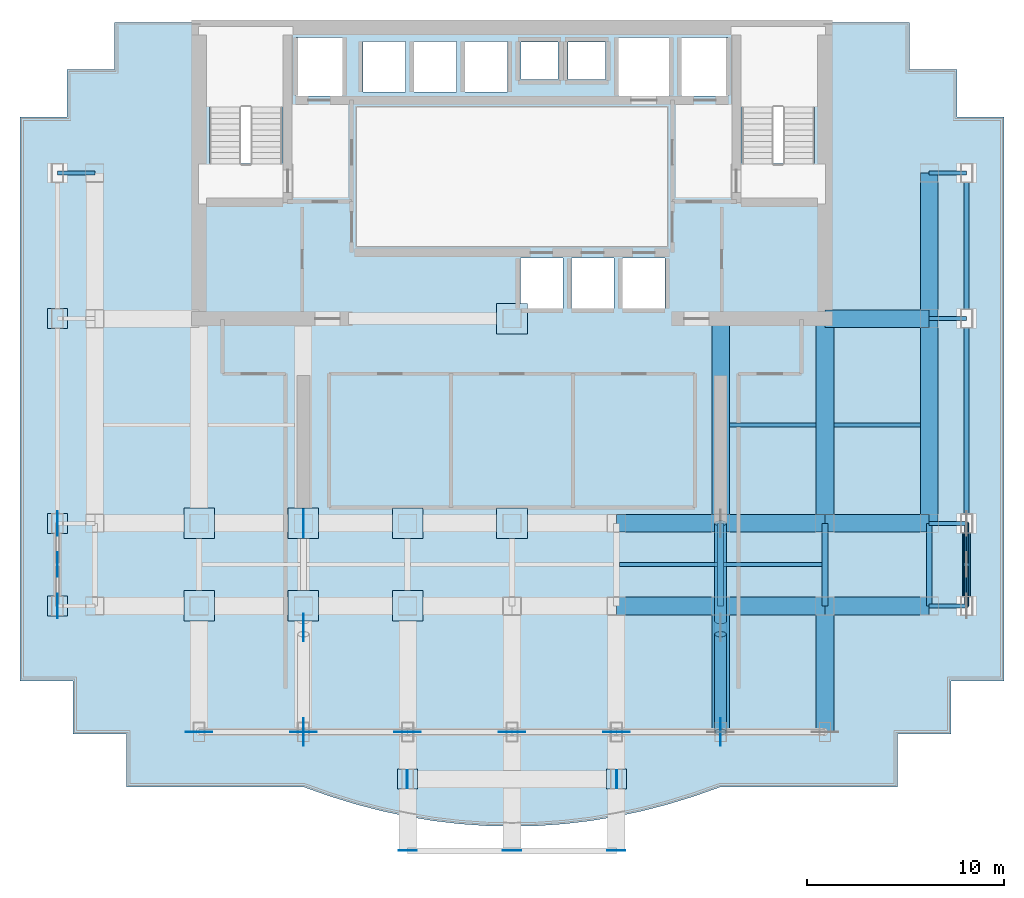
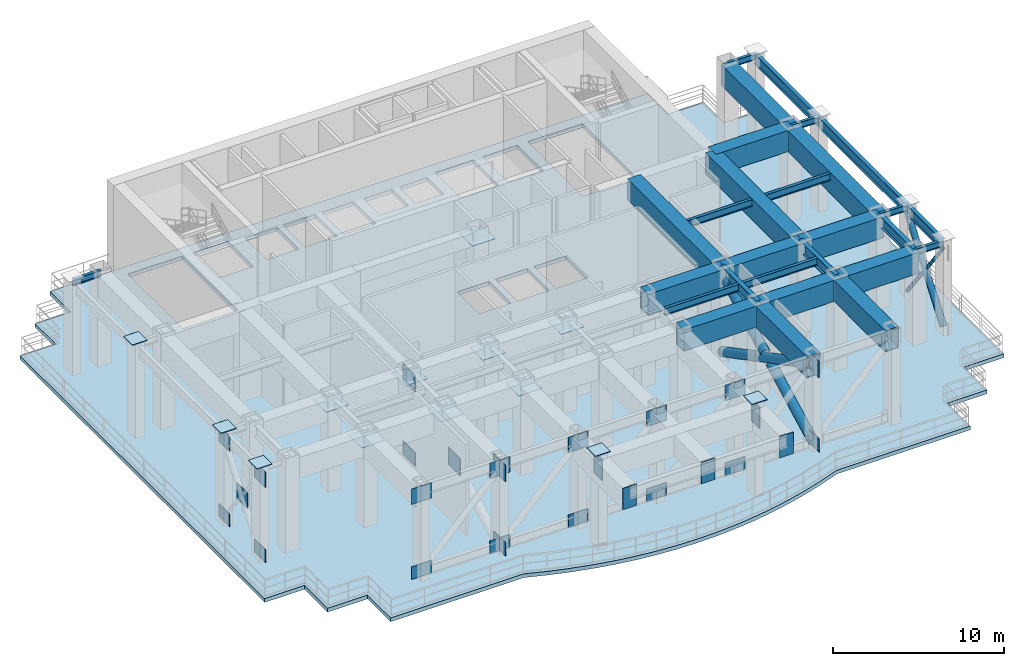
# One storey, part 2 of 8: 40 plates, 28 beams, 6 members, 1 slab.
"""IFC4 building model written with IfcOpenShell, lengths in metres."""

from ifc_helpers import new_model, si_unit, direction, frame, origin, origin_2d, place, context, subcontext, project, spatial, polyline, rectangle, hollow_rectangle, hollow_circle, i_section, outline, extrude, source, transform, mapped, material, layer, layer_set, material_profile, profile_set, type_object, element, save


model = new_model("IFC4")

# Units and contexts
model_context = context("Model", 3, precision=1e-05, world=origin(), true_north=direction((0.0, 1.0)))
body_context = subcontext(model_context, "Body", "Model", "MODEL_VIEW")
ifc_project = project(units=[si_unit("LENGTHUNIT", "METRE"), si_unit("AREAUNIT", "SQUARE_METRE"), si_unit("VOLUMEUNIT", "CUBIC_METRE"), si_unit("PLANEANGLEUNIT", "RADIAN"), si_unit("MASSUNIT", "GRAM", prefix="KILO")], contexts=[model_context])

# Site, building, storey
site_placement = place(None, origin())
site = spatial("IfcSite", under=ifc_project, at=site_placement, CompositionType="ELEMENT")
building_placement = place(site_placement, origin())
building = spatial("IfcBuilding", under=site, at=building_placement, Name="Qianlan Lanfeng Residences", CompositionType="ELEMENT")
storey_placement = place(building_placement, frame((0.0, 0.0, 127.89990234375)))
storey = spatial("IfcBuildingStorey", under=building, at=storey_placement, Name="L35", CompositionType="ELEMENT", Elevation=127.89990234375)

# Member
ifc_material_1 = material(Name="Steel SN490B", Category="steel")
ifc_material_profile_1 = material_profile(ifc_material_1, hollow_circle(Radius=0.203125, WallThickness=0.01611328125, at=origin_2d()), Name="CHS 406.4x16")
ifc_profile_set_1 = profile_set([ifc_material_profile_1], Name="Steel SN490B")
member_type_1 = type_object("IfcMemberType", Name="BB-457", PredefinedType="BRACE", material=ifc_profile_set_1)
member_1_placement = place(storey_placement, frame((49.60009765625, 10.60009765625, 0.35009765625), z_axis=(0.0, 0.602743372314, 0.79793510208), x_axis=(-1.0, 0.0, 0.0)))
element("IfcMember", 1, at=member_1_placement, inside=storey, type_object=member_type_1, Name="L35 E End Portal Continuous Diagonal", PredefinedType="BRACE", context=body_context, shape_type="SweptSolid", body=[
    extrude(hollow_circle(Radius=0.203125, WallThickness=0.01611328125, at=origin_2d()), origin(), (0.0, 0.0, 1.0), 6.968017578125),
])

# Beams
ifc_material_profile_2 = material_profile(ifc_material_1, i_section(OverallWidth=0.300048828125, OverallDepth=0.800048828125, WebThickness=0.01611328125, FlangeThickness=0.028076171875, at=origin_2d()), Name="H 800x300x16x28")
ifc_profile_set_2 = profile_set([ifc_material_profile_2], Name="Steel SN490B")
beam_type_1 = type_object("IfcBeamType", Name="G-950", PredefinedType="BEAM", material=ifc_profile_set_2)
for number, where, z_axis, x_axis, name in (
    (2, (37.10009765625, 10.60009765625, 6.16015625), (0.0, 1.0, 0.0), (-1.0, 0.0, 0.0), "Structural beam G-950"),
    (3, (42.39990234375, 10.60009765625, 6.16015625), (0.0, 1.0, 0.0), (-1.0, 0.0, 0.0), "Structural beam G-950"),
    (4, (47.699951171875, 10.60009765625, 6.16015625), (0.0, 1.0, 0.0), (-1.0, 0.0, 0.0), "Structural beam G-950"),
):
    element("IfcBeam", number, at=place(storey_placement, frame(where, z_axis=z_axis, x_axis=x_axis)), inside=storey, type_object=beam_type_1, Name=name, PredefinedType="BEAM", context=body_context, shape_type="SweptSolid", body=[
        extrude(i_section(OverallWidth=0.300048828125, OverallDepth=0.800048828125, WebThickness=0.01611328125, FlangeThickness=0.028076171875, at=origin_2d()), origin(), (0.0, 0.0, 1.0), 4.199951171875),
    ])
ifc_material_profile_3 = material_profile(ifc_material_1, i_section(OverallWidth=0.199951171875, OverallDepth=0.449951171875, WebThickness=0.009033203125, FlangeThickness=0.013916015625, at=origin_2d()), Name="H 450x200x9x14")
ifc_profile_set_3 = profile_set([ifc_material_profile_3], Name="Steel SN490B")
beam_type_2 = type_object("IfcBeamType", Name="J-450", PredefinedType="JOIST", material=ifc_profile_set_3)
for number, where, z_axis, x_axis, name in (
    (5, (47.699951171875, 10.60009765625, 6.335205078125), (1.0, 0.0, 0.0), (0.0, 1.0, 0.0), "Structural beam J-450"),
    (6, (47.699951171875, 14.800048828125, 6.335205078125), (1.0, 0.0, 0.0), (0.0, 1.0, 0.0), "Structural beam J-450"),
    (7, (47.699951171875, 25.199951171875, 6.335205078125), (1.0, 0.0, 0.0), (0.0, 1.0, 0.0), "Structural beam J-450"),
    (8, (3.39990234375, 32.60009765625, 6.335205078125), (1.0, 0.0, 0.0), (0.0, 1.0, 0.0), "Structural beam J-450"),
    (9, (47.699951171875, 32.60009765625, 6.335205078125), (1.0, 0.0, 0.0), (0.0, 1.0, 0.0), "Structural beam J-450"),
):
    element("IfcBeam", number, at=place(storey_placement, frame(where, z_axis=z_axis, x_axis=x_axis)), inside=storey, type_object=beam_type_2, Name=name, PredefinedType="JOIST", context=body_context, shape_type="SweptSolid", body=[
        extrude(i_section(OverallWidth=0.199951171875, OverallDepth=0.449951171875, WebThickness=0.009033203125, FlangeThickness=0.013916015625, at=origin_2d()), origin(), (0.0, 0.0, 1.0), 1.900146484375),
    ])
ifc_material_profile_4 = material_profile(ifc_material_1, i_section(OverallWidth=0.199951171875, OverallDepth=0.5, WebThickness=0.010009765625, FlangeThickness=0.01611328125, at=origin_2d()), Name="H 500x200x10x16")
ifc_profile_set_4 = profile_set([ifc_material_profile_4], Name="Steel SN490B")
beam_type_3 = type_object("IfcBeamType", Name="J-500", PredefinedType="JOIST", material=ifc_profile_set_4)
for number, where, z_axis, x_axis, name in (
    (10, (31.949951171875, 12.699951171875, 6.31005859375), (1.0, 0.0, 0.0), (0.0, 1.0, 0.0), "Structural beam J-500"),
    (11, (37.25, 12.699951171875, 6.31005859375), (1.0, 0.0, 0.0), (0.0, 1.0, 0.0), "Structural beam J-500"),
):
    element("IfcBeam", number, at=place(storey_placement, frame(where, z_axis=z_axis, x_axis=x_axis)), inside=storey, type_object=beam_type_3, Name=name, PredefinedType="JOIST", context=body_context, shape_type="SweptSolid", body=[
        extrude(i_section(OverallWidth=0.199951171875, OverallDepth=0.5, WebThickness=0.010009765625, FlangeThickness=0.01611328125, at=origin_2d()), origin(), (0.0, 0.0, 1.0), 5.0),
    ])
for number, where, z_axis, x_axis, name in (
    (12, (37.550048828125, 19.800048828125, 6.31005859375), (1.0, 0.0, 0.0), (0.0, 1.0, 0.0), "Structural beam J-500"),
    (13, (42.85009765625, 19.800048828125, 6.31005859375), (1.0, 0.0, 0.0), (0.0, 1.0, 0.0), "Structural beam J-500"),
):
    element("IfcBeam", number, at=place(storey_placement, frame(where, z_axis=z_axis, x_axis=x_axis)), inside=storey, type_object=beam_type_3, Name=name, PredefinedType="JOIST", context=body_context, shape_type="SweptSolid", body=[
        extrude(i_section(OverallWidth=0.199951171875, OverallDepth=0.5, WebThickness=0.010009765625, FlangeThickness=0.01611328125, at=origin_2d()), origin(), (0.0, 0.0, 1.0), 4.39990234375),
    ])

# Members
ifc_material_profile_5 = material_profile(ifc_material_1, hollow_circle(Radius=0.3046875, WallThickness=0.02490234375, at=origin_2d()), Name="CHS 609.6x25")
ifc_profile_set_5 = profile_set([ifc_material_profile_5], Name="Steel SN490B")
member_type_2 = type_object("IfcMemberType", Name="OB-610", PredefinedType="BRACE", material=ifc_profile_set_5)
member_2_placement = place(storey_placement, frame((37.10009765625, 14.800048828125, 0.35009765625), z_axis=(0.0, -0.885569507727, 0.46450688583), x_axis=(1.0, 0.0, 0.0)))
element("IfcMember", 14, at=member_2_placement, inside=storey, type_object=member_type_2, Name="L35 Outrigger Continuous Diagonal G8-D1", PredefinedType="BRACE", context=body_context, shape_type="SweptSolid", body=[
    extrude(hollow_circle(Radius=0.3046875, WallThickness=0.02490234375, at=origin_2d()), origin(), (0.0, 0.0, 1.0), 11.9697265625),
])
for number, where, z_axis, x_axis, name in (
    (15, (37.10009765625, 14.800048828125, 5.91015625), (0.0, -0.885573074059, -0.464500086654), (1.0, 0.0, 0.0), "L35 Outrigger Split Upper Half-Diagonal G8-D2A"),
    (16, (37.10009765625, 9.16357421875, 2.95361328125), (0.0, -0.885573074059, -0.464500086654), (1.0, 0.0, 0.0), "L35 Outrigger Split Lower Half-Diagonal G8-D2B"),
):
    element("IfcMember", number, at=place(storey_placement, frame(where, z_axis=z_axis, x_axis=x_axis)), inside=storey, type_object=member_type_2, Name=name, PredefinedType="BRACE", context=body_context, shape_type="SweptSolid", body=[
        extrude(hollow_circle(Radius=0.3046875, WallThickness=0.02490234375, at=origin_2d()), origin(), (0.0, 0.0, 1.0), 5.60498046875),
    ])
ifc_material_profile_6 = material_profile(ifc_material_1, hollow_circle(Radius=0.109619140625, WallThickness=0.010009765625, at=origin_2d()), Name="CHS 219.1x10")
ifc_profile_set_6 = profile_set([ifc_material_profile_6], Name="Steel SN490B")
member_type_3 = type_object("IfcMemberType", Name="PB-273", PredefinedType="STRUT", material=ifc_profile_set_6)
member_3_placement = place(storey_placement, frame((49.60009765625, 14.800048828125, 0.35009765625), z_axis=(0.0, -0.602766012183, 0.797917999895), x_axis=(1.0, 0.0, 0.0)))
element("IfcMember", 17, at=member_3_placement, inside=storey, type_object=member_type_3, Name="L35 E Portal Split Counter-Brace Lower Half", PredefinedType="STRUT", context=body_context, shape_type="SweptSolid", body=[
    extrude(hollow_circle(Radius=0.109619140625, WallThickness=0.010009765625, at=origin_2d()), origin(), (0.0, 0.0, 1.0), 3.243896484375),
])
member_4_placement = place(storey_placement, frame((49.60009765625, 12.555419921875, 3.321533203125), z_axis=(0.0, -0.602729816328, 0.797945341806), x_axis=(1.0, 0.0, 0.0)))
element("IfcMember", 18, at=member_4_placement, inside=storey, type_object=member_type_3, Name="L35 E Portal Split Counter-Brace Upper Half", PredefinedType="STRUT", context=body_context, shape_type="SweptSolid", body=[
    extrude(hollow_circle(Radius=0.109619140625, WallThickness=0.010009765625, at=origin_2d()), origin(), (0.0, 0.0, 1.0), 3.244140625),
])

# Beams
ifc_material_profile_7 = material_profile(ifc_material_1, i_section(OverallWidth=0.25, OverallDepth=0.75, WebThickness=0.013916015625, FlangeThickness=0.02490234375, at=origin_2d()), Name="H 750x250x14x25")
ifc_profile_set_7 = profile_set([ifc_material_profile_7], Name="Steel SN490B")
beam_type_4 = type_object("IfcBeamType", Name="SG-850", PredefinedType="SPANDREL", material=ifc_profile_set_7)
beam_1_placement = place(storey_placement, frame((49.60009765625, 10.60009765625, 6.18505859375), z_axis=(0.0, 1.0, 0.0), x_axis=(-1.0, 0.0, 0.0)))
element("IfcBeam", 19, at=beam_1_placement, inside=storey, type_object=beam_type_4, Name="Structural beam SG-850", PredefinedType="SPANDREL", context=body_context, shape_type="SweptSolid", body=[
    extrude(i_section(OverallWidth=0.25, OverallDepth=0.75, WebThickness=0.013916015625, FlangeThickness=0.02490234375, at=origin_2d()), origin(), (0.0, 0.0, 1.0), 4.199951171875),
])
beam_2_placement = place(storey_placement, frame((49.60009765625, 14.800048828125, 6.18505859375), z_axis=(0.0, 1.0, 0.0), x_axis=(-1.0, 0.0, 0.0)))
element("IfcBeam", 20, at=beam_2_placement, inside=storey, type_object=beam_type_4, Name="Structural beam SG-850", PredefinedType="SPANDREL", context=body_context, shape_type="SweptSolid", body=[
    extrude(i_section(OverallWidth=0.25, OverallDepth=0.75, WebThickness=0.013916015625, FlangeThickness=0.02490234375, at=origin_2d()), origin(), (0.0, 0.0, 1.0), 10.39990234375),
])
beam_3_placement = place(storey_placement, frame((49.60009765625, 25.199951171875, 6.18505859375), z_axis=(0.0, 1.0, 0.0), x_axis=(-1.0, 0.0, 0.0)))
element("IfcBeam", 21, at=beam_3_placement, inside=storey, type_object=beam_type_4, Name="Structural beam SG-850", PredefinedType="SPANDREL", context=body_context, shape_type="SweptSolid", body=[
    extrude(i_section(OverallWidth=0.25, OverallDepth=0.75, WebThickness=0.013916015625, FlangeThickness=0.02490234375, at=origin_2d()), origin(), (0.0, 0.0, 1.0), 7.400146484375),
])
ifc_material_2 = material(Name="Steel SM570 (420 MPa)", Category="steel")
ifc_material_profile_8 = material_profile(ifc_material_2, hollow_rectangle(XDim=0.89990234375, YDim=1.5, WallThickness=0.035888671875, at=origin_2d()), Name="BOX 1500x900x36")
ifc_profile_set_8 = profile_set([ifc_material_profile_8], Name="Steel SM570 (420 MPa)")
beam_type_5 = type_object("IfcBeamType", Name="TG-1800", PredefinedType="BEAM", material=ifc_profile_set_8)
beam_4_placement = place(storey_placement, frame((31.800048828125, 10.60009765625, 5.81005859375), z_axis=(1.0, 0.0, 0.0), x_axis=(0.0, 1.0, 0.0)))
element("IfcBeam", 22, at=beam_4_placement, inside=storey, type_object=beam_type_5, Name="Structural beam TG-1800", PredefinedType="BEAM", context=body_context, shape_type="SweptSolid", body=[
    extrude(hollow_rectangle(XDim=0.89990234375, YDim=1.5, WallThickness=0.035888671875, at=origin_2d()), origin(), (0.0, 0.0, 1.0), 5.300048828125),
])
beam_5_placement = place(storey_placement, frame((37.10009765625, 10.60009765625, 5.81005859375), z_axis=(1.0, 0.0, 0.0), x_axis=(0.0, 1.0, 0.0)))
element("IfcBeam", 23, at=beam_5_placement, inside=storey, type_object=beam_type_5, Name="Structural beam TG-1800", PredefinedType="BEAM", context=body_context, shape_type="SweptSolid", body=[
    extrude(hollow_rectangle(XDim=0.89990234375, YDim=1.5, WallThickness=0.035888671875, at=origin_2d()), origin(), (0.0, 0.0, 1.0), 5.2998046875),
])
for number, where, z_axis, x_axis, name in (
    (24, (42.39990234375, 10.60009765625, 5.81005859375), (1.0, 0.0, 0.0), (0.0, 1.0, 0.0), "Structural beam TG-1800"),
    (25, (31.800048828125, 14.800048828125, 5.81005859375), (1.0, 0.0, 0.0), (0.0, 1.0, 0.0), "Structural beam TG-1800"),
):
    element("IfcBeam", number, at=place(storey_placement, frame(where, z_axis=z_axis, x_axis=x_axis)), inside=storey, type_object=beam_type_5, Name=name, PredefinedType="BEAM", context=body_context, shape_type="SweptSolid", body=[
        extrude(hollow_rectangle(XDim=0.89990234375, YDim=1.5, WallThickness=0.035888671875, at=origin_2d()), origin(), (0.0, 0.0, 1.0), 5.300048828125),
    ])
beam_6_placement = place(storey_placement, frame((37.10009765625, 14.800048828125, 5.81005859375), z_axis=(1.0, 0.0, 0.0), x_axis=(0.0, 1.0, 0.0)))
element("IfcBeam", 26, at=beam_6_placement, inside=storey, type_object=beam_type_5, Name="Structural beam TG-1800", PredefinedType="BEAM", context=body_context, shape_type="SweptSolid", body=[
    extrude(hollow_rectangle(XDim=0.89990234375, YDim=1.5, WallThickness=0.035888671875, at=origin_2d()), origin(), (0.0, 0.0, 1.0), 5.2998046875),
])
for number, where, z_axis, x_axis, name in (
    (27, (42.39990234375, 14.800048828125, 5.81005859375), (1.0, 0.0, 0.0), (0.0, 1.0, 0.0), "Structural beam TG-1800"),
    (28, (42.39990234375, 25.199951171875, 5.81005859375), (1.0, 0.0, 0.0), (0.0, 1.0, 0.0), "Structural beam TG-1800"),
):
    element("IfcBeam", number, at=place(storey_placement, frame(where, z_axis=z_axis, x_axis=x_axis)), inside=storey, type_object=beam_type_5, Name=name, PredefinedType="BEAM", context=body_context, shape_type="SweptSolid", body=[
        extrude(hollow_rectangle(XDim=0.89990234375, YDim=1.5, WallThickness=0.035888671875, at=origin_2d()), origin(), (0.0, 0.0, 1.0), 5.300048828125),
    ])
beam_7_placement = place(storey_placement, frame((37.10009765625, 4.199951171875, 5.81005859375), z_axis=(0.0, 1.0, 0.0), x_axis=(-1.0, 0.0, 0.0)))
element("IfcBeam", 29, at=beam_7_placement, inside=storey, type_object=beam_type_5, Name="Structural beam TG-1800", PredefinedType="BEAM", context=body_context, shape_type="SweptSolid", body=[
    extrude(hollow_rectangle(XDim=0.89990234375, YDim=1.5, WallThickness=0.035888671875, at=origin_2d()), origin(), (0.0, 0.0, 1.0), 6.400146484375),
])
beam_8_placement = place(storey_placement, frame((37.10009765625, 14.800048828125, 5.81005859375), z_axis=(0.0, 1.0, 0.0), x_axis=(-1.0, 0.0, 0.0)))
element("IfcBeam", 30, at=beam_8_placement, inside=storey, type_object=beam_type_5, Name="Structural beam TG-1800", PredefinedType="BEAM", context=body_context, shape_type="SweptSolid", body=[
    extrude(hollow_rectangle(XDim=0.89990234375, YDim=1.5, WallThickness=0.035888671875, at=origin_2d()), origin(), (0.0, 0.0, 1.0), 10.39990234375),
])
beam_9_placement = place(storey_placement, frame((42.39990234375, 4.199951171875, 5.81005859375), z_axis=(0.0, 1.0, 0.0), x_axis=(-1.0, 0.0, 0.0)))
element("IfcBeam", 31, at=beam_9_placement, inside=storey, type_object=beam_type_5, Name="Structural beam TG-1800", PredefinedType="BEAM", context=body_context, shape_type="SweptSolid", body=[
    extrude(hollow_rectangle(XDim=0.89990234375, YDim=1.5, WallThickness=0.035888671875, at=origin_2d()), origin(), (0.0, 0.0, 1.0), 6.400146484375),
])
for number, where, z_axis, x_axis, name in (
    (32, (42.39990234375, 14.800048828125, 5.81005859375), (0.0, 1.0, 0.0), (-1.0, 0.0, 0.0), "Structural beam TG-1800"),
    (33, (47.699951171875, 14.800048828125, 5.81005859375), (0.0, 1.0, 0.0), (-1.0, 0.0, 0.0), "Structural beam TG-1800"),
):
    element("IfcBeam", number, at=place(storey_placement, frame(where, z_axis=z_axis, x_axis=x_axis)), inside=storey, type_object=beam_type_5, Name=name, PredefinedType="BEAM", context=body_context, shape_type="SweptSolid", body=[
        extrude(hollow_rectangle(XDim=0.89990234375, YDim=1.5, WallThickness=0.035888671875, at=origin_2d()), origin(), (0.0, 0.0, 1.0), 10.39990234375),
    ])
beam_10_placement = place(storey_placement, frame((47.699951171875, 25.199951171875, 5.81005859375), z_axis=(0.0, 1.0, 0.0), x_axis=(-1.0, 0.0, 0.0)))
element("IfcBeam", 34, at=beam_10_placement, inside=storey, type_object=beam_type_5, Name="Structural beam TG-1800", PredefinedType="BEAM", context=body_context, shape_type="SweptSolid", body=[
    extrude(hollow_rectangle(XDim=0.89990234375, YDim=1.5, WallThickness=0.035888671875, at=origin_2d()), origin(), (0.0, 0.0, 1.0), 7.400146484375),
])

# Slab
ifc_material_3 = material(Name="Concrete C56", Category="concrete")
ifc_layer_1 = layer(ifc_material_3, 0.27001953125)
ifc_layer_set_1 = layer_set([ifc_layer_1], Name="Concrete C56")
slab_type = type_object("IfcSlabType", Name="S-PRT-270", PredefinedType="FLOOR", material=ifc_layer_set_1)
slab_placement = place(storey_placement, frame((0.0, 0.0, -0.27001953125)))
element("IfcSlab", 35, at=slab_placement, inside=storey, type_object=slab_type, Name="L35 Structural Floor Slab", PredefinedType="FLOOR", context=body_context, shape_type="SweptSolid", body=[
    extrude(outline(polyline([(1.5, 6.800048828125), (4.199951171875, 6.800048828125), (4.199951171875, 4.10009765625), (6.89990234375, 4.10009765625), (6.89990234375, 1.39990234375), (15.919921875, 1.39990234375), (17.241943359375, 0.930908203125), (18.56494140625, 0.52490234375), (19.886962890625, 0.180908203125), (21.2099609375, -0.10009765625), (22.531982421875, -0.319091796875), (23.85498046875, -0.47509765625), (25.177001953125, -0.569091796875), (26.5, -0.60009765625), (27.822021484375, -0.569091796875), (29.14501953125, -0.47509765625), (30.467041015625, -0.319091796875), (31.7900390625, -0.10009765625), (33.112060546875, 0.180908203125), (34.43505859375, 0.52490234375), (35.758056640625, 0.930908203125), (37.080078125, 1.39990234375), (46.10009765625, 1.39990234375), (46.10009765625, 4.10009765625), (48.800048828125, 4.10009765625), (48.800048828125, 6.800048828125), (51.5, 6.800048828125), (51.5, 35.449951171875), (49.10009765625, 35.449951171875), (49.10009765625, 37.85009765625), (46.699951171875, 37.85009765625), (46.699951171875, 40.25), (6.300048828125, 40.25), (6.300048828125, 37.85009765625), (3.89990234375, 37.85009765625), (3.89990234375, 35.449951171875), (1.5, 35.449951171875), (1.5, 6.800048828125)]), holes=[polyline([(11.139892578125, 33.080078125), (11.139892578125, 39.5), (14.820068359375, 39.5), (14.820068359375, 33.080078125), (11.139892578125, 33.080078125)]), polyline([(38.179931640625, 33.080078125), (38.179931640625, 39.5), (41.860107421875, 39.5), (41.860107421875, 33.080078125), (38.179931640625, 33.080078125)]), polyline([(15.52001953125, 36.52001953125), (15.52001953125, 39.47998046875), (17.8798828125, 39.47998046875), (17.8798828125, 36.52001953125), (15.52001953125, 36.52001953125)]), polyline([(35.1201171875, 36.52001953125), (35.1201171875, 39.47998046875), (37.47998046875, 39.47998046875), (37.47998046875, 36.52001953125), (35.1201171875, 36.52001953125)]), polyline([(31.919921875, 36.52001953125), (31.919921875, 39.47998046875), (34.47998046875, 39.47998046875), (34.47998046875, 36.52001953125), (31.919921875, 36.52001953125)]), polyline([(26.919921875, 25.719970703125), (26.919921875, 28.280029296875), (29.080078125, 28.280029296875), (29.080078125, 25.719970703125), (26.919921875, 25.719970703125)]), polyline([(29.52001953125, 25.719970703125), (29.52001953125, 28.280029296875), (31.679931640625, 28.280029296875), (31.679931640625, 25.719970703125), (29.52001953125, 25.719970703125)]), polyline([(32.1201171875, 25.719970703125), (32.1201171875, 28.280029296875), (34.280029296875, 28.280029296875), (34.280029296875, 25.719970703125), (32.1201171875, 25.719970703125)]), polyline([(18.919921875, 36.719970703125), (18.919921875, 39.280029296875), (21.080078125, 39.280029296875), (21.080078125, 36.719970703125), (18.919921875, 36.719970703125)]), polyline([(21.52001953125, 36.719970703125), (21.52001953125, 39.280029296875), (23.679931640625, 39.280029296875), (23.679931640625, 36.719970703125), (21.52001953125, 36.719970703125)]), polyline([(24.1201171875, 36.719970703125), (24.1201171875, 39.280029296875), (26.280029296875, 39.280029296875), (26.280029296875, 36.719970703125), (24.1201171875, 36.719970703125)]), polyline([(26.949951171875, 37.35009765625), (26.949951171875, 39.25), (28.85009765625, 39.25), (28.85009765625, 37.35009765625), (26.949951171875, 37.35009765625)]), polyline([(29.35009765625, 37.35009765625), (29.35009765625, 39.25), (31.25, 39.25), (31.25, 37.35009765625), (29.35009765625, 37.35009765625)])]), origin(), (0.0, 0.0, 1.0), 0.27001953125),
])

# Plates
ifc_layer_2 = layer(ifc_material_2, 0.0400390625)
ifc_layer_set_2 = layer_set([ifc_layer_2], Name="Steel SM570 (420 MPa)")
plate_type_1 = type_object("IfcPlateType", Name="PL-CAP-40", PredefinedType="USERDEFINED", material=ifc_layer_set_2)
shared_shape_1 = source(origin(), body_context, "Body", "SweptSolid", [
    extrude(rectangle(XDim=1.02001953125, YDim=1.02001953125, at=origin_2d()), origin(), (0.0, 0.0, 1.0), 0.0400390625),
])
for number, where, z_axis, x_axis, name in (
    (36, (21.199951171875, 1.800048828125, 6.760009765625), (0.0, 0.0, 1.0), (1.0, 0.0, 0.0), "L35 Box Column Top Closure Cap Plate P_21.20_1.80"),
    (37, (31.800048828125, 1.800048828125, 6.760009765625), (0.0, 0.0, 1.0), (1.0, 0.0, 0.0), "L35 Box Column Top Closure Cap Plate P_31.80_1.80"),
    (38, (3.39990234375, 10.60009765625, 6.760009765625), (0.0, 0.0, 1.0), (1.0, 0.0, 0.0), "L35 Box Column Top Closure Cap Plate W_3.40_10.60"),
    (39, (3.39990234375, 14.800048828125, 6.760009765625), (0.0, 0.0, 1.0), (1.0, 0.0, 0.0), "L35 Box Column Top Closure Cap Plate W_3.40_14.80"),
    (40, (3.39990234375, 25.199951171875, 6.760009765625), (0.0, 0.0, 1.0), (1.0, 0.0, 0.0), "L35 Box Column Top Closure Cap Plate W_3.40_25.20"),
):
    element("IfcPlate", number, at=place(storey_placement, frame(where, z_axis=z_axis, x_axis=x_axis)), inside=storey, type_object=plate_type_1, Name=name, ObjectType="SPLICE_PLATE", PredefinedType="USERDEFINED", context=body_context, shape_type="MappedRepresentation", body=[
        mapped(shared_shape_1, transform((0.0, 0.0, 0.0), scale=1.0)),
    ])
ifc_layer_3 = layer(ifc_material_1, 0.028076171875)
ifc_layer_set_3 = layer_set([ifc_layer_3], Name="Steel SN490B")
plate_type_2 = type_object("IfcPlateType", Name="NP-STF-24", PredefinedType="USERDEFINED", material=ifc_layer_set_3)
shared_shape_2 = source(origin(), body_context, "Body", "SweptSolid", [
    extrude(rectangle(XDim=1.550048828125, YDim=1.550048828125, at=origin_2d()), origin(), (0.0, 0.0, 1.0), 0.028076171875),
])
for number, where, z_axis, x_axis, name in (
    (41, (26.5, 25.199951171875, 5.99609375), (0.0, 0.0, 1.0), (1.0, 0.0, 0.0), "L35 Transfer Node Diaphragm Stiffener 1"),
    (42, (10.60009765625, 14.800048828125, 5.99609375), (0.0, 0.0, 1.0), (1.0, 0.0, 0.0), "L35 Transfer Node Diaphragm Stiffener 2"),
    (43, (10.60009765625, 10.60009765625, 5.99609375), (0.0, 0.0, 1.0), (1.0, 0.0, 0.0), "L35 Transfer Node Diaphragm Stiffener 3"),
    (44, (15.89990234375, 14.800048828125, 5.99609375), (0.0, 0.0, 1.0), (1.0, 0.0, 0.0), "L35 Transfer Node Diaphragm Stiffener 4"),
    (45, (15.89990234375, 10.60009765625, 5.99609375), (0.0, 0.0, 1.0), (1.0, 0.0, 0.0), "L35 Transfer Node Diaphragm Stiffener 5"),
    (46, (21.199951171875, 14.800048828125, 5.99609375), (0.0, 0.0, 1.0), (1.0, 0.0, 0.0), "L35 Transfer Node Diaphragm Stiffener 6"),
    (47, (21.199951171875, 10.60009765625, 5.99609375), (0.0, 0.0, 1.0), (1.0, 0.0, 0.0), "L35 Transfer Node Diaphragm Stiffener 7"),
    (48, (26.5, 14.800048828125, 5.99609375), (0.0, 0.0, 1.0), (1.0, 0.0, 0.0), "L35 Transfer Node Diaphragm Stiffener 8"),
):
    element("IfcPlate", number, at=place(storey_placement, frame(where, z_axis=z_axis, x_axis=x_axis)), inside=storey, type_object=plate_type_2, Name=name, ObjectType="STIFFENER", PredefinedType="USERDEFINED", context=body_context, shape_type="MappedRepresentation", body=[
        mapped(shared_shape_2, transform((0.0, 0.0, 0.0), scale=1.0)),
    ])
shared_shape_3 = source(origin(), body_context, "Body", "SweptSolid", [
    extrude(rectangle(XDim=0.0400390625, YDim=0.919921875, at=origin_2d()), origin(), (0.0, 0.0, 1.0), 1.52001953125),
])
for number, where, z_axis, x_axis, name in (
    (49, (21.18408203125, 1.800048828125, 4.860107421875), (0.0, 0.0, 1.0), (1.0, 0.0, 0.0), "L35 Sky Pool Root Transfer Girder End Cap W"),
    (50, (31.81591796875, 1.800048828125, 4.860107421875), (0.0, 0.0, 1.0), (1.0, 0.0, 0.0), "L35 Sky Pool Root Transfer Girder End Cap E"),
):
    element("IfcPlate", number, at=place(storey_placement, frame(where, z_axis=z_axis, x_axis=x_axis)), inside=storey, type_object=plate_type_1, Name=name, ObjectType="SPLICE_PLATE", PredefinedType="USERDEFINED", context=body_context, shape_type="MappedRepresentation", body=[
        mapped(shared_shape_3, transform((0.0, 0.0, 0.0), scale=1.0)),
    ])
shared_shape_4 = source(origin(), body_context, "Body", "SweptSolid", [
    extrude(rectangle(XDim=0.919921875, YDim=0.0400390625, at=origin_2d()), origin(), (0.0, 0.0, 1.0), 1.52001953125),
])
for number, where, z_axis, x_axis, name in (
    (51, (21.199951171875, -1.830078125, 4.860107421875), (0.0, 0.0, 1.0), (1.0, 0.0, 0.0), "L35 Sky Pool Cantilever Transfer Girder Tip Cap 1"),
    (52, (26.5, -1.830078125, 4.860107421875), (0.0, 0.0, 1.0), (1.0, 0.0, 0.0), "L35 Sky Pool Cantilever Transfer Girder Tip Cap 2"),
    (53, (31.800048828125, -1.830078125, 4.860107421875), (0.0, 0.0, 1.0), (1.0, 0.0, 0.0), "L35 Sky Pool Cantilever Transfer Girder Tip Cap 3"),
):
    element("IfcPlate", number, at=place(storey_placement, frame(where, z_axis=z_axis, x_axis=x_axis)), inside=storey, type_object=plate_type_1, Name=name, ObjectType="SPLICE_PLATE", PredefinedType="USERDEFINED", context=body_context, shape_type="MappedRepresentation", body=[
        mapped(shared_shape_4, transform((0.0, 0.0, 0.0), scale=1.0)),
    ])
ifc_layer_4 = layer(ifc_material_1, 0.035888671875)
ifc_layer_set_4 = layer_set([ifc_layer_4], Name="Steel SN490B")
plate_type_3 = type_object("IfcPlateType", Name="NP-GUS-36", PredefinedType="USERDEFINED", material=ifc_layer_set_4)
shared_shape_5 = source(origin(), body_context, "Body", "SweptSolid", [
    extrude(rectangle(XDim=0.035888671875, YDim=1.39990234375, at=origin_2d()), origin(), (0.0, 0.0, 1.0), 1.199951171875),
])
for number, where, z_axis, x_axis, name in (
    (54, (15.89990234375, 9.5, 2.5302734375), (0.0, 0.0, 1.0), (1.0, 0.0, 0.0), "L35 Outrigger X-Brace Central Gusset Plate G4-XC"),
    (55, (15.89990234375, 14.800048828125, -0.25), (0.0, 0.0, 1.0), (1.0, 0.0, 0.0), "L35 Outrigger End Gusset Plate G4-NB"),
    (56, (15.89990234375, 14.800048828125, 5.31005859375), (0.0, 0.0, 1.0), (1.0, 0.0, 0.0), "L35 Outrigger End Gusset Plate G4-NT"),
    (57, (15.89990234375, 4.199951171875, -0.25), (0.0, 0.0, 1.0), (1.0, 0.0, 0.0), "L35 Outrigger End Gusset Plate G4-SB"),
    (58, (15.89990234375, 4.199951171875, 5.31005859375), (0.0, 0.0, 1.0), (1.0, 0.0, 0.0), "L35 Outrigger End Gusset Plate G4-ST"),
    (59, (37.10009765625, 4.199951171875, -0.25), (0.0, 0.0, 1.0), (1.0, 0.0, 0.0), "L35 Outrigger End Gusset Plate G8-SB"),
    (60, (37.10009765625, 4.199951171875, 5.31005859375), (0.0, 0.0, 1.0), (1.0, 0.0, 0.0), "L35 Outrigger End Gusset Plate G8-ST"),
):
    element("IfcPlate", number, at=place(storey_placement, frame(where, z_axis=z_axis, x_axis=x_axis)), inside=storey, type_object=plate_type_3, Name=name, ObjectType="GUSSET", PredefinedType="USERDEFINED", context=body_context, shape_type="MappedRepresentation", body=[
        mapped(shared_shape_5, transform((0.0, 0.0, 0.0), scale=1.0)),
    ])
ifc_layer_5 = layer(ifc_material_1, 0.028076171875)
ifc_layer_set_5 = layer_set([ifc_layer_5], Name="Steel SN490B")
plate_type_4 = type_object("IfcPlateType", Name="NP-GUS-28", PredefinedType="USERDEFINED", material=ifc_layer_set_5)
shared_shape_6 = source(origin(), body_context, "Body", "SweptSolid", [
    extrude(rectangle(XDim=1.35009765625, YDim=0.028076171875, at=origin_2d()), origin(), (0.0, 0.0, 1.0), 1.10009765625),
])
for number, where, z_axis, x_axis, name in (
    (61, (10.60009765625, 4.199951171875, -0.199951171875), (0.0, 0.0, 1.0), (1.0, 0.0, 0.0), "L35 Belt Truss End Gusset Plate B1"),
    (62, (10.60009765625, 4.199951171875, 5.360107421875), (0.0, 0.0, 1.0), (1.0, 0.0, 0.0), "L35 Belt Truss End Gusset Plate T1"),
    (63, (15.89990234375, 4.199951171875, -0.199951171875), (0.0, 0.0, 1.0), (1.0, 0.0, 0.0), "L35 Belt Truss End Gusset Plate B2"),
    (64, (15.89990234375, 4.199951171875, 5.360107421875), (0.0, 0.0, 1.0), (1.0, 0.0, 0.0), "L35 Belt Truss End Gusset Plate T2"),
    (65, (21.199951171875, 4.199951171875, -0.199951171875), (0.0, 0.0, 1.0), (1.0, 0.0, 0.0), "L35 Belt Truss End Gusset Plate B3"),
    (66, (21.199951171875, 4.199951171875, 5.360107421875), (0.0, 0.0, 1.0), (1.0, 0.0, 0.0), "L35 Belt Truss End Gusset Plate T3"),
    (67, (26.5, 4.199951171875, -0.199951171875), (0.0, 0.0, 1.0), (1.0, 0.0, 0.0), "L35 Belt Truss End Gusset Plate B4"),
    (68, (26.5, 4.199951171875, 5.360107421875), (0.0, 0.0, 1.0), (1.0, 0.0, 0.0), "L35 Belt Truss End Gusset Plate T4"),
    (69, (31.800048828125, 4.199951171875, -0.199951171875), (0.0, 0.0, 1.0), (1.0, 0.0, 0.0), "L35 Belt Truss End Gusset Plate B5"),
    (70, (31.800048828125, 4.199951171875, 5.360107421875), (0.0, 0.0, 1.0), (1.0, 0.0, 0.0), "L35 Belt Truss End Gusset Plate T5"),
):
    element("IfcPlate", number, at=place(storey_placement, frame(where, z_axis=z_axis, x_axis=x_axis)), inside=storey, type_object=plate_type_4, Name=name, ObjectType="GUSSET", PredefinedType="USERDEFINED", context=body_context, shape_type="MappedRepresentation", body=[
        mapped(shared_shape_6, transform((0.0, 0.0, 0.0), scale=1.0)),
    ])
ifc_layer_6 = layer(ifc_material_1, 0.028076171875)
ifc_layer_set_6 = layer_set([ifc_layer_6], Name="Steel SN490B")
plate_type_5 = type_object("IfcPlateType", Name="NP-GUS-24", PredefinedType="USERDEFINED", material=ifc_layer_set_6)
shared_shape_7 = source(origin(), body_context, "Body", "SweptSolid", [
    extrude(rectangle(XDim=0.028076171875, YDim=1.25, at=origin_2d()), origin(), (0.0, 0.0, 1.0), 1.10009765625),
])
for number, where, z_axis, x_axis, name in (
    (71, (3.39990234375, 12.699951171875, 2.580078125), (0.0, 0.0, 1.0), (1.0, 0.0, 0.0), "L35 W Portal X-Brace Central Gusset Plate"),
    (72, (3.39990234375, 10.60009765625, -0.199951171875), (0.0, 0.0, 1.0), (1.0, 0.0, 0.0), "L35 W Portal End Gusset Plate SB"),
    (73, (3.39990234375, 10.60009765625, 5.360107421875), (0.0, 0.0, 1.0), (1.0, 0.0, 0.0), "L35 W Portal End Gusset Plate ST"),
    (74, (3.39990234375, 14.800048828125, -0.199951171875), (0.0, 0.0, 1.0), (1.0, 0.0, 0.0), "L35 W Portal End Gusset Plate NB"),
    (75, (3.39990234375, 14.800048828125, 5.360107421875), (0.0, 0.0, 1.0), (1.0, 0.0, 0.0), "L35 W Portal End Gusset Plate NT"),
):
    element("IfcPlate", number, at=place(storey_placement, frame(where, z_axis=z_axis, x_axis=x_axis)), inside=storey, type_object=plate_type_5, Name=name, ObjectType="GUSSET", PredefinedType="USERDEFINED", context=body_context, shape_type="MappedRepresentation", body=[
        mapped(shared_shape_7, transform((0.0, 0.0, 0.0), scale=1.0)),
    ])

save(model, "model.ifc")
